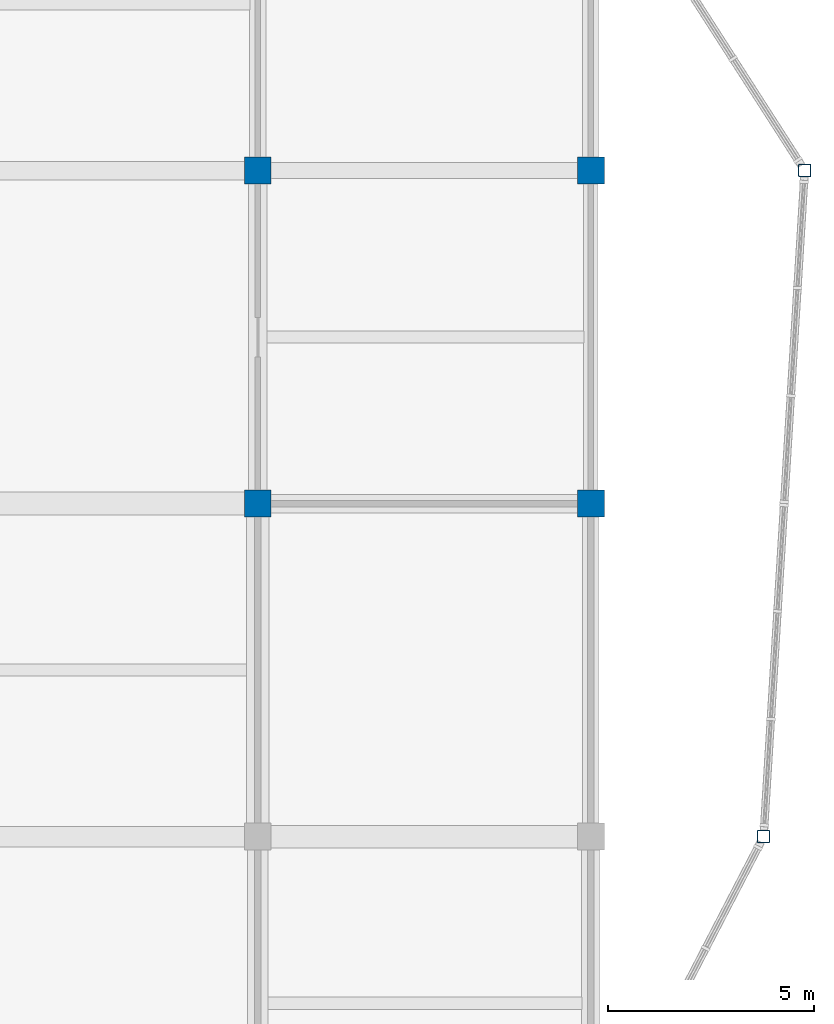
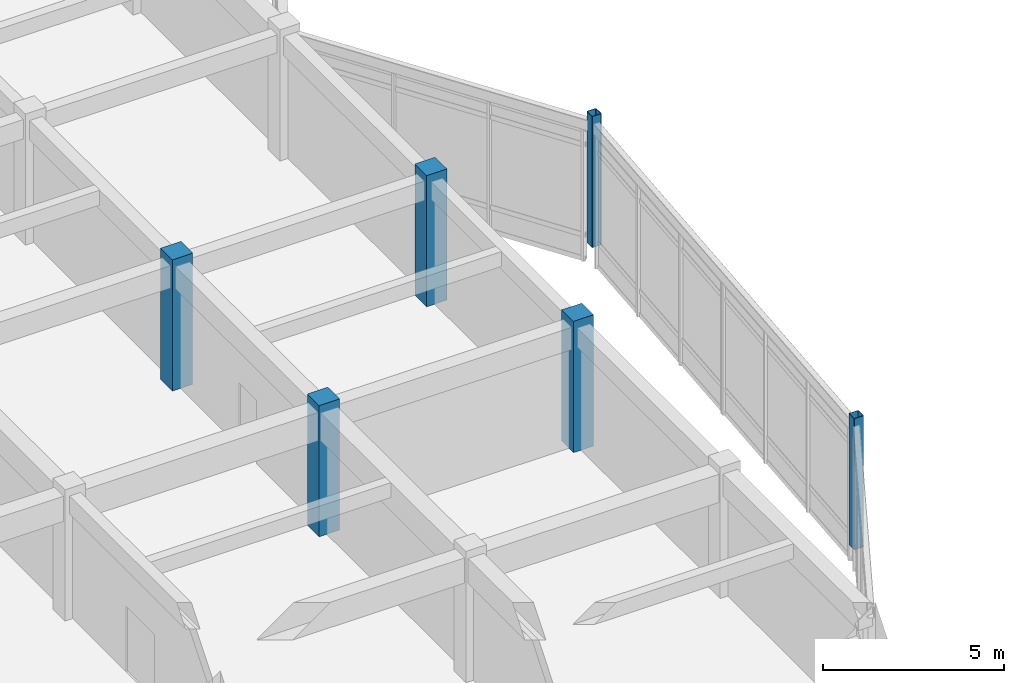
# One storey, part 3 of 42: 6 columns.
"""IFC4 building model written with IfcOpenShell, lengths in metres."""

from ifc_helpers import new_model, si_unit, direction, frame, origin, origin_2d, place, context, subcontext, project, spatial, rectangle, hollow_rectangle, extrude, material, material_profile, profile_set, type_object, element, save


model = new_model("IFC4")

# Units and contexts
model_context = context("Model", 3, precision=1e-05, world=origin(), true_north=direction((0.0, 1.0)))
body_context = subcontext(model_context, "Body", "Model", "MODEL_VIEW")
ifc_project = project(units=[si_unit("LENGTHUNIT", "METRE"), si_unit("AREAUNIT", "SQUARE_METRE"), si_unit("VOLUMEUNIT", "CUBIC_METRE"), si_unit("PLANEANGLEUNIT", "RADIAN"), si_unit("MASSUNIT", "GRAM", prefix="KILO")], contexts=[model_context])

# Site, building, storey
site_placement = place(None, origin())
site = spatial("IfcSite", under=ifc_project, at=site_placement, CompositionType="ELEMENT")
building_placement = place(site_placement, origin())
building = spatial("IfcBuilding", under=site, at=building_placement, Name="Vaudrelin Polytechnic", CompositionType="ELEMENT")
storey_placement = place(building_placement, frame((0.0, 0.0, 18.530029296875)))
storey = spatial("IfcBuildingStorey", under=building, at=storey_placement, Name="L04", CompositionType="ELEMENT", Elevation=18.530029296875)

# Columns
ifc_material_1 = material(Name="Steel CSA G40.21 350WT", Category="steel")
ifc_material_profile_1 = material_profile(ifc_material_1, hollow_rectangle(XDim=0.304931640625, YDim=0.304931640625, WallThickness=0.0126953125, InnerFilletRadius=0.0126953125, OuterFilletRadius=0.025390625, at=origin_2d()), Name="HSS305x305x12.7")
ifc_profile_set_1 = profile_set([ifc_material_profile_1], Name="Steel CSA G40.21 350WT")
column_type_1 = type_object("IfcColumnType", Name="COL-C-HSS305", PredefinedType="COLUMN", material=ifc_profile_set_1)
for number, where, z_axis, x_axis, name in (
    (1, (174.300048828125, 72.89990234375, 0.0), (0.0, 0.0, 1.0), (1.0, 0.0, 0.0), "Deconstructivist column L04 E_OR2_1"),
    (2, (175.300048828125, 89.10009765625, 0.0), (0.0, 0.0, 1.0), (1.0, 0.0, 0.0), "Deconstructivist column L04 E_OR2_2"),
):
    element("IfcColumn", number, at=place(storey_placement, frame(where, z_axis=z_axis, x_axis=x_axis)), inside=storey, type_object=column_type_1, Name=name, PredefinedType="COLUMN", context=body_context, shape_type="SweptSolid", body=[
        extrude(hollow_rectangle(XDim=0.304931640625, YDim=0.304931640625, WallThickness=0.0126953125, InnerFilletRadius=0.0126953125, OuterFilletRadius=0.025390625, at=origin_2d()), origin(), (0.0, 0.0, 1.0), 4.419921875),
    ])
ifc_material_2 = material(Name="Concrete 40 MPa", Category="concrete")
ifc_material_profile_2 = material_profile(ifc_material_2, rectangle(XDim=0.64990234375, YDim=0.64990234375, at=origin_2d()), Name="RC650x650")
ifc_profile_set_2 = profile_set([ifc_material_profile_2], Name="Concrete 40 MPa")
column_type_2 = type_object("IfcColumnType", Name="COL-C-RC650", PredefinedType="COLUMN", material=ifc_profile_set_2)
for number, where, z_axis, x_axis, name in (
    (3, (162.0, 81.0, 0.0), (0.0, 0.0, 1.0), (1.0, 0.0, 0.0), "Column L04 21-11"),
    (4, (162.0, 89.10009765625, 0.0), (0.0, 0.0, 1.0), (1.0, 0.0, 0.0), "Column L04 21-12"),
    (5, (170.10009765625, 81.0, 0.0), (0.0, 0.0, 1.0), (1.0, 0.0, 0.0), "Column L04 22-11"),
    (6, (170.10009765625, 89.10009765625, 0.0), (0.0, 0.0, 1.0), (1.0, 0.0, 0.0), "Column L04 22-12"),
):
    element("IfcColumn", number, at=place(storey_placement, frame(where, z_axis=z_axis, x_axis=x_axis)), inside=storey, type_object=column_type_2, Name=name, PredefinedType="COLUMN", context=body_context, shape_type="SweptSolid", body=[
        extrude(rectangle(XDim=0.64990234375, YDim=0.64990234375, at=origin_2d()), origin(), (0.0, 0.0, 1.0), 4.419921875),
    ])

save(model, "model.ifc")
